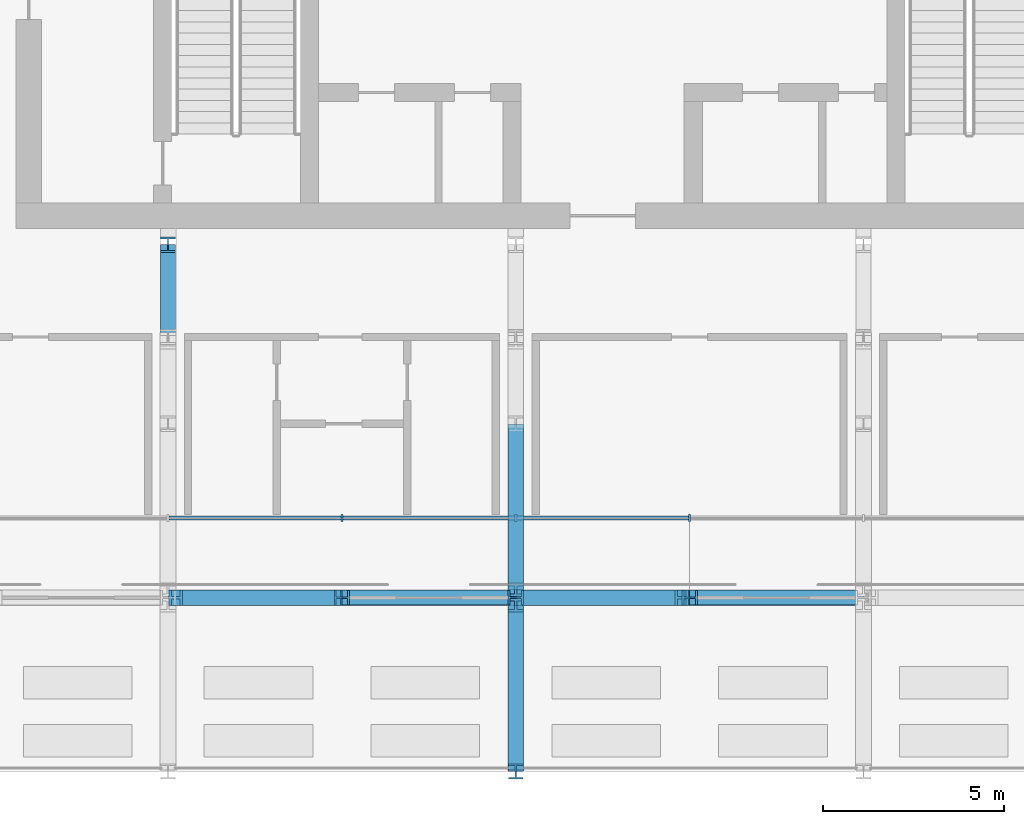
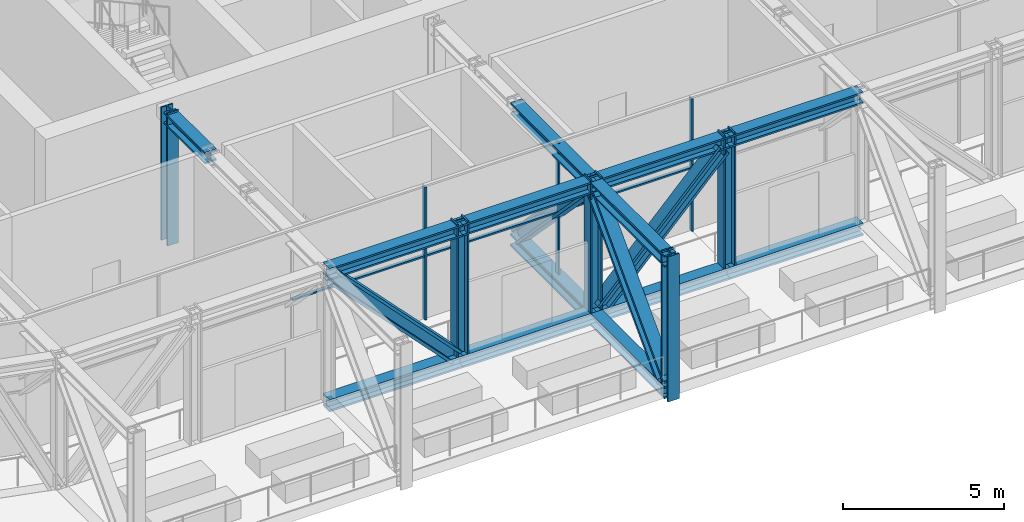
# One storey, part 2 of 22: 28 members, 1 element without a shape of its own.
"""IFC4 building model written with IfcOpenShell, lengths in metres."""

from ifc_helpers import new_model, si_unit, direction, frame, origin, origin_2d, place, context, subcontext, project, spatial, rectangle, i_section, extrude, material, layer, layer_set, material_profile, profile_set, type_object, element, aggregate, save


model = new_model("IFC4")

# Units and contexts
model_context = context("Model", 3, precision=1e-05, world=origin(), true_north=direction((0.0, 1.0)))
body_context = subcontext(model_context, "Body", "Model", "MODEL_VIEW")
ifc_project = project(units=[si_unit("LENGTHUNIT", "METRE"), si_unit("AREAUNIT", "SQUARE_METRE"), si_unit("VOLUMEUNIT", "CUBIC_METRE"), si_unit("PLANEANGLEUNIT", "RADIAN"), si_unit("MASSUNIT", "GRAM", prefix="KILO")], contexts=[model_context])

# Site, building, storey
site_placement = place(None, origin())
site = spatial("IfcSite", under=ifc_project, at=site_placement, CompositionType="ELEMENT")
building_placement = place(site_placement, origin())
building = spatial("IfcBuilding", under=site, at=building_placement, Name="Madar Terraces", CompositionType="ELEMENT")
storey_placement = place(building_placement, frame((0.0, 0.0, 203.39990234375)))
storey = spatial("IfcBuildingStorey", under=building, at=storey_placement, Name="L53", CompositionType="ELEMENT", Elevation=203.39990234375)

# Members
ifc_material_1 = material(Name="Steel ASTM A992 Grade 50", Category="steel")
ifc_material_profile_1 = material_profile(ifc_material_1, i_section(OverallWidth=0.421630859375, OverallDepth=0.46484375, WebThickness=0.044921875, FlangeThickness=0.072509765625, at=origin_2d()), Name="W14x398")
ifc_profile_set_1 = profile_set([ifc_material_profile_1], Name="Steel ASTM A992 Grade 50")
member_type_1 = type_object("IfcMemberType", Name="BC7 W14x398", PredefinedType="CHORD", material=ifc_profile_set_1)
for number, where, z_axis, x_axis, name in (
    (1, (19.199951171875, 4.800048828125, -0.1875), (1.0, 0.0, 0.0), (0.0, 1.0, 0.0), "Exoskeleton truss ring bottom chord BC7"),
    (2, (24.0, 4.800048828125, -0.1875), (1.0, 0.0, 0.0), (0.0, 1.0, 0.0), "Exoskeleton truss ring bottom chord BC7"),
    (3, (28.800048828125, 4.800048828125, -0.1875), (1.0, 0.0, 0.0), (0.0, 1.0, 0.0), "Exoskeleton truss ring bottom chord BC7"),
):
    element("IfcMember", number, at=place(storey_placement, frame(where, z_axis=z_axis, x_axis=x_axis)), inside=storey, type_object=member_type_1, Name=name, PredefinedType="CHORD", context=body_context, shape_type="SweptSolid", body=[
        extrude(i_section(OverallWidth=0.421630859375, OverallDepth=0.46484375, WebThickness=0.044921875, FlangeThickness=0.072509765625, at=origin_2d()), origin(), (0.0, 0.0, 1.0), 4.800048828125),
    ])
member_1_placement = place(storey_placement, frame((33.60009765625, 4.800048828125, -0.1875), z_axis=(1.0, 0.0, 0.0), x_axis=(0.0, 1.0, 0.0)))
element("IfcMember", 4, at=member_1_placement, inside=storey, type_object=member_type_1, Name="Exoskeleton truss ring bottom chord BC7", PredefinedType="CHORD", context=body_context, shape_type="SweptSolid", body=[
    extrude(i_section(OverallWidth=0.421630859375, OverallDepth=0.46484375, WebThickness=0.044921875, FlangeThickness=0.072509765625, at=origin_2d()), origin(), (0.0, 0.0, 1.0), 4.7998046875),
])
member_2_placement = place(storey_placement, frame((28.800048828125, 0.0, -0.1875), z_axis=(0.0, 1.0, 0.0), x_axis=(-1.0, 0.0, 0.0)))
element("IfcMember", 5, at=member_2_placement, inside=storey, type_object=member_type_1, Name="Exoskeleton truss cross S28.8 bottom chord BC7", PredefinedType="CHORD", context=body_context, shape_type="SweptSolid", body=[
    extrude(i_section(OverallWidth=0.421630859375, OverallDepth=0.46484375, WebThickness=0.044921875, FlangeThickness=0.072509765625, at=origin_2d()), origin(), (0.0, 0.0, 1.0), 4.589111328125),
])
member_3_placement = place(storey_placement, frame((28.800048828125, 5.0107421875, -0.1875), z_axis=(0.0, 1.0, 0.0), x_axis=(-1.0, 0.0, 0.0)))
element("IfcMember", 6, at=member_3_placement, inside=storey, type_object=member_type_1, Name="Exoskeleton truss cross S28.8 bottom chord BC7", PredefinedType="CHORD", context=body_context, shape_type="SweptSolid", body=[
    extrude(i_section(OverallWidth=0.421630859375, OverallDepth=0.46484375, WebThickness=0.044921875, FlangeThickness=0.072509765625, at=origin_2d()), origin(), (0.0, 0.0, 1.0), 4.58935546875),
])

# Curtain wall, members
ifc_material_2 = material(Name="Glass, ceramic frit dark grey, with black aluminium frame", Category="aluminium")
ifc_layer = layer(ifc_material_2, 0.199951171875)
ifc_layer_set = layer_set([ifc_layer], Name="Facade curtain wall, tall glazing")
curtain_wall_type = type_object("IfcCurtainWallType", Name="Facade curtain wall, tall glazing", PredefinedType="NOTDEFINED", material=ifc_layer_set)
curtain_wall_placement = place(storey_placement, origin())
curtain_wall = element("IfcCurtainWall", 7, at=curtain_wall_placement, inside=storey, type_object=curtain_wall_type, Name="Outer skin curtain wall south bay 1", PredefinedType="NOTDEFINED")
ifc_material_3 = material(Name="Aluminium, black anodised", Category="aluminium")
ifc_material_profile_2 = material_profile(ifc_material_3, rectangle(XDim=0.199951171875, YDim=0.06005859375, at=origin_2d()), Name="Facade mullion 60x200")
ifc_profile_set_2 = profile_set([ifc_material_profile_2], Name="Aluminium, black anodised")
member_type_2 = type_object("IfcMemberType", Name="Facade mullion 60x200", PredefinedType="MULLION", material=ifc_profile_set_2)
member_4_placement = place(storey_placement, frame((24.0, 7.0, 0.0), z_axis=(0.0, 0.0, 1.0), x_axis=(0.0, 1.0, 0.0)))
member_4 = element("IfcMember", 8, at=member_4_placement, type_object=member_type_2, Name="Mullion 3", PredefinedType="MULLION", context=body_context, shape_type="SweptSolid", body=[
    extrude(rectangle(XDim=0.199951171875, YDim=0.06005859375, at=origin_2d()), origin(), (0.0, 0.0, 1.0), 5.0400390625),
])
member_5_placement = place(storey_placement, frame((28.800048828125, 7.0, 0.0), z_axis=(0.0, 0.0, 1.0), x_axis=(0.0, 1.0, 0.0)))
member_5 = element("IfcMember", 9, at=member_5_placement, type_object=member_type_2, Name="Mullion 4", PredefinedType="MULLION", context=body_context, shape_type="SweptSolid", body=[
    extrude(rectangle(XDim=0.199951171875, YDim=0.06005859375, at=origin_2d()), origin(), (0.0, 0.0, 1.0), 5.0400390625),
])
member_6_placement = place(storey_placement, frame((33.60009765625, 7.0, 0.0), z_axis=(0.0, 0.0, 1.0), x_axis=(0.0, 1.0, 0.0)))
member_6 = element("IfcMember", 10, at=member_6_placement, type_object=member_type_2, Name="Mullion 5", PredefinedType="MULLION", context=body_context, shape_type="SweptSolid", body=[
    extrude(rectangle(XDim=0.199951171875, YDim=0.06005859375, at=origin_2d()), origin(), (0.0, 0.0, 1.0), 5.0400390625),
])
ifc_material_4 = material(Name="Aluminium, black anodised", Category="aluminium")
ifc_material_profile_3 = material_profile(ifc_material_4, rectangle(XDim=0.1201171875, YDim=0.06005859375, at=origin_2d()), Name="Facade transom 60x120")
ifc_profile_set_3 = profile_set([ifc_material_profile_3], Name="Aluminium, black anodised")
member_type_3 = type_object("IfcMemberType", Name="Facade transom 60x120", PredefinedType="USERDEFINED", material=ifc_profile_set_3)
member_7_placement = place(storey_placement, frame((19.22998046875, 7.0, 2.400146484375), z_axis=(1.0, 0.0, 0.0), x_axis=(0.0, 1.0, 0.0)))
member_7 = element("IfcMember", 11, at=member_7_placement, type_object=member_type_3, Name="Transom 4", ObjectType="TRANSOM", PredefinedType="USERDEFINED", context=body_context, shape_type="SweptSolid", body=[
    extrude(rectangle(XDim=0.1201171875, YDim=0.06005859375, at=origin_2d()), origin(), (0.0, 0.0, 1.0), 4.739990234375),
])
member_8_placement = place(storey_placement, frame((24.030029296875, 7.0, 2.400146484375), z_axis=(1.0, 0.0, 0.0), x_axis=(0.0, 1.0, 0.0)))
member_8 = element("IfcMember", 12, at=member_8_placement, type_object=member_type_3, Name="Transom 5", ObjectType="TRANSOM", PredefinedType="USERDEFINED", context=body_context, shape_type="SweptSolid", body=[
    extrude(rectangle(XDim=0.1201171875, YDim=0.06005859375, at=origin_2d()), origin(), (0.0, 0.0, 1.0), 4.739990234375),
])
member_9_placement = place(storey_placement, frame((28.830078125, 7.0, 2.400146484375), z_axis=(1.0, 0.0, 0.0), x_axis=(0.0, 1.0, 0.0)))
member_9 = element("IfcMember", 13, at=member_9_placement, type_object=member_type_3, Name="Transom 6", ObjectType="TRANSOM", PredefinedType="USERDEFINED", context=body_context, shape_type="SweptSolid", body=[
    extrude(rectangle(XDim=0.1201171875, YDim=0.06005859375, at=origin_2d()), origin(), (0.0, 0.0, 1.0), 4.739990234375),
])
aggregate(curtain_wall, [member_4, member_5, member_6, member_7, member_8, member_9])

# Members
ifc_material_5 = material(Name="Steel ASTM A992 Grade 50", Category="steel")
ifc_material_profile_4 = material_profile(ifc_material_5, i_section(OverallWidth=0.41650390625, OverallDepth=0.444580078125, WebThickness=0.0390625, FlangeThickness=0.062744140625, at=origin_2d()), Name="W14x342")
ifc_profile_set_4 = profile_set([ifc_material_profile_4], Name="Steel ASTM A992 Grade 50")
member_type_4 = type_object("IfcMemberType", Name="TC7 W14x342", PredefinedType="CHORD", material=ifc_profile_set_4)
for number, where, z_axis, x_axis, name in (
    (14, (19.199951171875, 4.800048828125, 4.807861328125), (1.0, 0.0, 0.0), (0.0, 1.0, 0.0), "Exoskeleton truss ring top chord TC7"),
    (15, (24.0, 4.800048828125, 4.807861328125), (1.0, 0.0, 0.0), (0.0, 1.0, 0.0), "Exoskeleton truss ring top chord TC7"),
    (16, (28.800048828125, 4.800048828125, 4.807861328125), (1.0, 0.0, 0.0), (0.0, 1.0, 0.0), "Exoskeleton truss ring top chord TC7"),
):
    element("IfcMember", number, at=place(storey_placement, frame(where, z_axis=z_axis, x_axis=x_axis)), inside=storey, type_object=member_type_4, Name=name, PredefinedType="CHORD", context=body_context, shape_type="SweptSolid", body=[
        extrude(i_section(OverallWidth=0.41650390625, OverallDepth=0.444580078125, WebThickness=0.0390625, FlangeThickness=0.062744140625, at=origin_2d()), origin(), (0.0, 0.0, 1.0), 4.800048828125),
    ])
member_10_placement = place(storey_placement, frame((33.60009765625, 4.800048828125, 4.807861328125), z_axis=(1.0, 0.0, 0.0), x_axis=(0.0, 1.0, 0.0)))
element("IfcMember", 17, at=member_10_placement, inside=storey, type_object=member_type_4, Name="Exoskeleton truss ring top chord TC7", PredefinedType="CHORD", context=body_context, shape_type="SweptSolid", body=[
    extrude(i_section(OverallWidth=0.41650390625, OverallDepth=0.444580078125, WebThickness=0.0390625, FlangeThickness=0.062744140625, at=origin_2d()), origin(), (0.0, 0.0, 1.0), 4.7998046875),
])
member_11_placement = place(storey_placement, frame((19.199951171875, 12.0, 4.807861328125), z_axis=(0.0, 1.0, 0.0), x_axis=(-1.0, 0.0, 0.0)))
element("IfcMember", 18, at=member_11_placement, inside=storey, type_object=member_type_4, Name="Exoskeleton truss cross S19.2 top chord TC7", PredefinedType="CHORD", context=body_context, shape_type="SweptSolid", body=[
    extrude(i_section(OverallWidth=0.41650390625, OverallDepth=0.444580078125, WebThickness=0.0390625, FlangeThickness=0.062744140625, at=origin_2d()), origin(), (0.0, 0.0, 1.0), 2.550048828125),
])
for number, where, z_axis, x_axis, name in (
    (19, (28.800048828125, 0.0, 4.807861328125), (0.0, 1.0, 0.0), (-1.0, 0.0, 0.0), "Exoskeleton truss cross S28.8 top chord TC7"),
    (20, (28.800048828125, 5.00830078125, 4.807861328125), (0.0, 1.0, 0.0), (-1.0, 0.0, 0.0), "Exoskeleton truss cross S28.8 top chord TC7"),
):
    element("IfcMember", number, at=place(storey_placement, frame(where, z_axis=z_axis, x_axis=x_axis)), inside=storey, type_object=member_type_4, Name=name, PredefinedType="CHORD", context=body_context, shape_type="SweptSolid", body=[
        extrude(i_section(OverallWidth=0.41650390625, OverallDepth=0.444580078125, WebThickness=0.0390625, FlangeThickness=0.062744140625, at=origin_2d()), origin(), (0.0, 0.0, 1.0), 4.591796875),
    ])
ifc_material_6 = material(Name="Steel ASTM A992 Grade 50", Category="steel")
ifc_material_profile_5 = material_profile(ifc_material_6, i_section(OverallWidth=0.436767578125, OverallDepth=0.51318359375, WebThickness=0.060546875, FlangeThickness=0.096923828125, at=origin_2d()), Name="W14x550")
ifc_profile_set_5 = profile_set([ifc_material_profile_5], Name="Steel ASTM A992 Grade 50")
member_type_5 = type_object("IfcMemberType", Name="TD7 W14x550", PredefinedType="BRACE", material=ifc_profile_set_5)
for number, where, z_axis, x_axis, name in (
    (21, (19.41357421875, 4.800048828125, 4.585693359375), (0.692853764203, 0.0, -0.721078124359), (0.0, 1.0, 0.0), "Exoskeleton truss ring diagonal TD7"),
    (22, (29.0234375, 4.800048828125, 0.044921875), (0.692853764203, 0.0, 0.721078124359), (0.0, 1.0, 0.0), "Exoskeleton truss ring diagonal TD7"),
    (23, (28.800048828125, 0.223388671875, 0.044921875), (0.0, 0.692853764203, 0.721078124359), (-1.0, 0.0, 0.0), "Exoskeleton truss cross S28.8 diagonal TD7"),
    (24, (28.800048828125, 5.013671875, 4.585693359375), (0.0, 0.692853764203, -0.721078124359), (-1.0, 0.0, 0.0), "Exoskeleton truss cross S28.8 diagonal TD7"),
):
    element("IfcMember", number, at=place(storey_placement, frame(where, z_axis=z_axis, x_axis=x_axis)), inside=storey, type_object=member_type_5, Name=name, PredefinedType="BRACE", context=body_context, shape_type="SweptSolid", body=[
        extrude(i_section(OverallWidth=0.436767578125, OverallDepth=0.51318359375, WebThickness=0.060546875, FlangeThickness=0.096923828125, at=origin_2d()), origin(), (0.0, 0.0, 1.0), 6.297119140625),
    ])
ifc_material_7 = material(Name="Steel ASTM A992 Grade 50", Category="steel")
ifc_material_profile_6 = material_profile(ifc_material_7, i_section(OverallWidth=0.408935546875, OverallDepth=0.424072265625, WebThickness=0.03271484375, FlangeThickness=0.052490234375, at=origin_2d()), Name="W14x283")
ifc_profile_set_6 = profile_set([ifc_material_profile_6], Name="Steel ASTM A992 Grade 50")
member_type_6 = type_object("IfcMemberType", Name="TV7 W14x283", PredefinedType="POST", material=ifc_profile_set_6)
for number, where, z_axis, x_axis, name in (
    (25, (24.0, 4.800048828125, 0.044921875), (0.0, 0.0, 1.0), (0.0, 1.0, 0.0), "Exoskeleton truss ring post TV7"),
    (26, (28.800048828125, 4.800048828125, 0.044921875), (0.0, 0.0, 1.0), (0.0, 1.0, 0.0), "Exoskeleton truss ring post TV7"),
    (27, (33.60009765625, 4.800048828125, 0.044921875), (0.0, 0.0, 1.0), (0.0, 1.0, 0.0), "Exoskeleton truss ring post TV7"),
    (28, (19.199951171875, 14.550048828125, 0.044921875), (0.0, 0.0, 1.0), (-1.0, 0.0, 0.0), "Exoskeleton truss cross S19.2 post TV7"),
):
    element("IfcMember", number, at=place(storey_placement, frame(where, z_axis=z_axis, x_axis=x_axis)), inside=storey, type_object=member_type_6, Name=name, PredefinedType="POST", context=body_context, shape_type="SweptSolid", body=[
        extrude(i_section(OverallWidth=0.408935546875, OverallDepth=0.424072265625, WebThickness=0.03271484375, FlangeThickness=0.052490234375, at=origin_2d()), origin(), (0.0, 0.0, 1.0), 5.05517578125),
    ])
member_12_placement = place(storey_placement, frame((28.800048828125, 0.0, -0.419921875), z_axis=(0.0, 0.0, 1.0), x_axis=(-1.0, 0.0, 0.0)))
element("IfcMember", 29, at=member_12_placement, inside=storey, type_object=member_type_6, Name="Exoskeleton truss cross S28.8 post TV7", PredefinedType="POST", context=body_context, shape_type="SweptSolid", body=[
    extrude(i_section(OverallWidth=0.408935546875, OverallDepth=0.424072265625, WebThickness=0.03271484375, FlangeThickness=0.052490234375, at=origin_2d()), origin(), (0.0, 0.0, 1.0), 5.52001953125),
])

save(model, "model.ifc")
